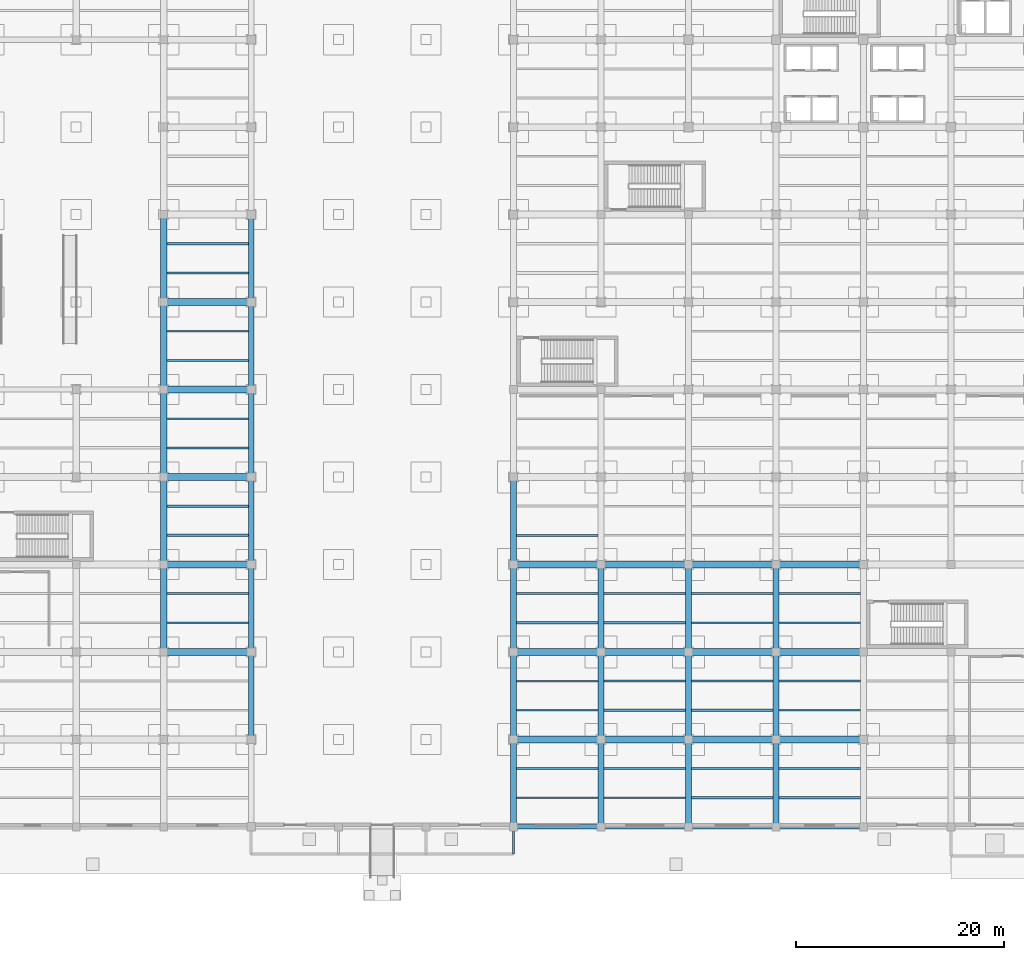
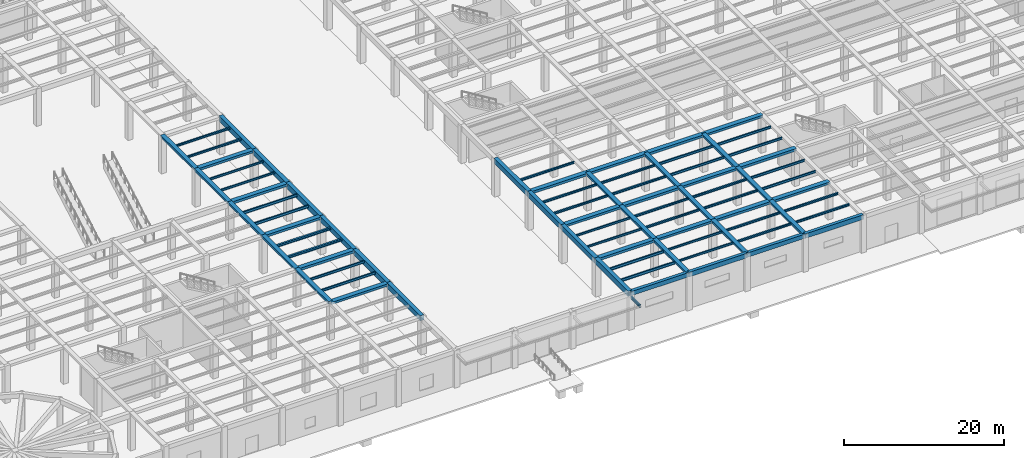
# One storey, part 6 of 43: 81 beams.
"""IFC4 building model written with IfcOpenShell, lengths in metres."""

from ifc_helpers import new_model, si_unit, direction, frame, origin, origin_2d, place, context, subcontext, project, spatial, rectangle, i_section, extrude, material, material_profile, profile_set, type_object, element, save


model = new_model("IFC4")

# Units and contexts
model_context = context("Model", 3, precision=1e-05, world=origin(), true_north=direction((0.0, 1.0)))
body_context = subcontext(model_context, "Body", "Model", "MODEL_VIEW")
ifc_project = project(units=[si_unit("LENGTHUNIT", "METRE"), si_unit("AREAUNIT", "SQUARE_METRE"), si_unit("VOLUMEUNIT", "CUBIC_METRE"), si_unit("PLANEANGLEUNIT", "RADIAN"), si_unit("MASSUNIT", "GRAM", prefix="KILO")], contexts=[model_context])

# Site, building, storey
site_placement = place(None, origin())
site = spatial("IfcSite", under=ifc_project, at=site_placement, CompositionType="ELEMENT")
building_placement = place(site_placement, origin())
building = spatial("IfcBuilding", under=site, at=building_placement, Name="Almacenes y Pasaje Nevantli", CompositionType="ELEMENT")
storey_placement = place(building_placement, origin())
storey = spatial("IfcBuildingStorey", under=building, at=storey_placement, Name="L01", CompositionType="ELEMENT", Elevation=0.0)

# Beams
ifc_material_1 = material(Name="Concrete C35/45", Category="concrete")
ifc_material_profile_1 = material_profile(ifc_material_1, rectangle(XDim=0.449951171875, YDim=0.64990234375, at=origin_2d()), Name="RC-BM-450x650")
ifc_profile_set_1 = profile_set([ifc_material_profile_1], Name="Concrete C35/45")
beam_type_1 = type_object("IfcBeamType", Name="BM-RC-450x650", PredefinedType="SPANDREL", material=ifc_profile_set_1)
for number, where, z_axis, x_axis, name in (
    (1, (92.39990234375, 0.0, 5.375), (1.0, 0.0, 0.0), (0.0, 1.0, 0.0), "L01 East-West Reinforced Concrete Beam #1217"),
    (2, (109.199951171875, 0.0, 5.375), (1.0, 0.0, 0.0), (0.0, 1.0, 0.0), "L01 East-West Reinforced Concrete Beam #1219"),
):
    element("IfcBeam", number, at=place(storey_placement, frame(where, z_axis=z_axis, x_axis=x_axis)), inside=storey, type_object=beam_type_1, Name=name, PredefinedType="SPANDREL", context=body_context, shape_type="SweptSolid", body=[
        extrude(rectangle(XDim=0.449951171875, YDim=0.64990234375, at=origin_2d()), origin(), (0.0, 0.0, 1.0), 8.400146484375),
    ])
ifc_material_2 = material(Name="Concrete C35/45", Category="concrete")
ifc_material_profile_2 = material_profile(ifc_material_2, rectangle(XDim=0.449951171875, YDim=0.699951171875, at=origin_2d()), Name="RC-BM-450x700")
ifc_profile_set_2 = profile_set([ifc_material_profile_2], Name="Concrete C35/45")
beam_type_2 = type_object("IfcBeamType", Name="BM-RC-450x700", PredefinedType="SPANDREL", material=ifc_profile_set_2)
for number, where, z_axis, x_axis, name in (
    (3, (100.800048828125, 0.0, 5.35009765625), (1.0, 0.0, 0.0), (0.0, 1.0, 0.0), "L01 East-West Reinforced Concrete Beam #1218"),
    (4, (117.60009765625, 0.0, 5.35009765625), (1.0, 0.0, 0.0), (0.0, 1.0, 0.0), "L01 East-West Reinforced Concrete Beam #1220"),
):
    element("IfcBeam", number, at=place(storey_placement, frame(where, z_axis=z_axis, x_axis=x_axis)), inside=storey, type_object=beam_type_2, Name=name, PredefinedType="SPANDREL", context=body_context, shape_type="SweptSolid", body=[
        extrude(rectangle(XDim=0.449951171875, YDim=0.699951171875, at=origin_2d()), origin(), (0.0, 0.0, 1.0), 8.39990234375),
    ])
ifc_material_3 = material(Name="Concrete C35/45", Category="concrete")
ifc_material_profile_3 = material_profile(ifc_material_3, rectangle(XDim=0.550048828125, YDim=0.800048828125, at=origin_2d()), Name="RC-BM-550x800")
ifc_profile_set_3 = profile_set([ifc_material_profile_3], Name="Concrete C35/45")
beam_type_3 = type_object("IfcBeamType", Name="BM-RC-550x800", PredefinedType="BEAM", material=ifc_profile_set_3)
beam_1_placement = place(storey_placement, frame((67.199951171875, 8.39990234375, 5.300048828125), z_axis=(0.0, 1.0, 0.0), x_axis=(-1.0, 0.0, 0.0)))
element("IfcBeam", 5, at=beam_1_placement, inside=storey, type_object=beam_type_3, Name="L01 North-South Reinforced Concrete Beam #1542", PredefinedType="BEAM", context=body_context, shape_type="SweptSolid", body=[
    extrude(rectangle(XDim=0.550048828125, YDim=0.800048828125, at=origin_2d()), origin(), (0.0, 0.0, 1.0), 8.400146484375),
])
beam_2_placement = place(storey_placement, frame((67.199951171875, 16.800048828125, 5.300048828125), z_axis=(0.0, 1.0, 0.0), x_axis=(-1.0, 0.0, 0.0)))
element("IfcBeam", 6, at=beam_2_placement, inside=storey, type_object=beam_type_3, Name="L01 North-South Reinforced Concrete Beam #1543", PredefinedType="BEAM", context=body_context, shape_type="SweptSolid", body=[
    extrude(rectangle(XDim=0.550048828125, YDim=0.800048828125, at=origin_2d()), origin(), (0.0, 0.0, 1.0), 8.39990234375),
])
beam_3_placement = place(storey_placement, frame((67.199951171875, 25.199951171875, 5.300048828125), z_axis=(0.0, 1.0, 0.0), x_axis=(-1.0, 0.0, 0.0)))
element("IfcBeam", 7, at=beam_3_placement, inside=storey, type_object=beam_type_3, Name="L01 North-South Reinforced Concrete Beam #1544", PredefinedType="BEAM", context=body_context, shape_type="SweptSolid", body=[
    extrude(rectangle(XDim=0.550048828125, YDim=0.800048828125, at=origin_2d()), origin(), (0.0, 0.0, 1.0), 8.400146484375),
])
for number, where, z_axis, x_axis, name in (
    (8, (67.199951171875, 33.60009765625, 5.300048828125), (0.0, 1.0, 0.0), (-1.0, 0.0, 0.0), "L01 North-South Reinforced Concrete Beam #1545"),
    (9, (67.199951171875, 42.0, 5.300048828125), (0.0, 1.0, 0.0), (-1.0, 0.0, 0.0), "L01 North-South Reinforced Concrete Beam #1546"),
):
    element("IfcBeam", number, at=place(storey_placement, frame(where, z_axis=z_axis, x_axis=x_axis)), inside=storey, type_object=beam_type_3, Name=name, PredefinedType="BEAM", context=body_context, shape_type="SweptSolid", body=[
        extrude(rectangle(XDim=0.550048828125, YDim=0.800048828125, at=origin_2d()), origin(), (0.0, 0.0, 1.0), 8.39990234375),
    ])
beam_4_placement = place(storey_placement, frame((67.199951171875, 50.39990234375, 5.300048828125), z_axis=(0.0, 1.0, 0.0), x_axis=(-1.0, 0.0, 0.0)))
element("IfcBeam", 10, at=beam_4_placement, inside=storey, type_object=beam_type_3, Name="L01 North-South Reinforced Concrete Beam #1547", PredefinedType="BEAM", context=body_context, shape_type="SweptSolid", body=[
    extrude(rectangle(XDim=0.550048828125, YDim=0.800048828125, at=origin_2d()), origin(), (0.0, 0.0, 1.0), 8.400146484375),
])
beam_5_placement = place(storey_placement, frame((92.39990234375, 0.0, 5.300048828125), z_axis=(0.0, 1.0, 0.0), x_axis=(-1.0, 0.0, 0.0)))
element("IfcBeam", 11, at=beam_5_placement, inside=storey, type_object=beam_type_3, Name="L01 North-South Reinforced Concrete Beam #1555", PredefinedType="BEAM", context=body_context, shape_type="SweptSolid", body=[
    extrude(rectangle(XDim=0.550048828125, YDim=0.800048828125, at=origin_2d()), origin(), (0.0, 0.0, 1.0), 8.39990234375),
])
beam_6_placement = place(storey_placement, frame((92.39990234375, 8.39990234375, 5.300048828125), z_axis=(0.0, 1.0, 0.0), x_axis=(-1.0, 0.0, 0.0)))
element("IfcBeam", 12, at=beam_6_placement, inside=storey, type_object=beam_type_3, Name="L01 North-South Reinforced Concrete Beam #1556", PredefinedType="BEAM", context=body_context, shape_type="SweptSolid", body=[
    extrude(rectangle(XDim=0.550048828125, YDim=0.800048828125, at=origin_2d()), origin(), (0.0, 0.0, 1.0), 8.400146484375),
])
beam_7_placement = place(storey_placement, frame((92.39990234375, 16.800048828125, 5.300048828125), z_axis=(0.0, 1.0, 0.0), x_axis=(-1.0, 0.0, 0.0)))
element("IfcBeam", 13, at=beam_7_placement, inside=storey, type_object=beam_type_3, Name="L01 North-South Reinforced Concrete Beam #1557", PredefinedType="BEAM", context=body_context, shape_type="SweptSolid", body=[
    extrude(rectangle(XDim=0.550048828125, YDim=0.800048828125, at=origin_2d()), origin(), (0.0, 0.0, 1.0), 8.39990234375),
])
beam_8_placement = place(storey_placement, frame((92.39990234375, 25.199951171875, 5.300048828125), z_axis=(0.0, 1.0, 0.0), x_axis=(-1.0, 0.0, 0.0)))
element("IfcBeam", 14, at=beam_8_placement, inside=storey, type_object=beam_type_3, Name="L01 North-South Reinforced Concrete Beam #1558", PredefinedType="BEAM", context=body_context, shape_type="SweptSolid", body=[
    extrude(rectangle(XDim=0.550048828125, YDim=0.800048828125, at=origin_2d()), origin(), (0.0, 0.0, 1.0), 8.400146484375),
])
ifc_material_4 = material(Name="Concrete C35/45", Category="concrete")
ifc_material_profile_4 = material_profile(ifc_material_4, rectangle(XDim=0.60009765625, YDim=0.320068359375, at=origin_2d()), Name="RC-BM-600x320")
ifc_profile_set_4 = profile_set([ifc_material_profile_4], Name="Concrete C35/45")
beam_type_4 = type_object("IfcBeamType", Name="BM-RC-600x320", PredefinedType="BEAM", material=ifc_profile_set_4)
for number, where, z_axis, x_axis, name in (
    (15, (58.800048828125, 16.800048828125, 5.5400390625), (0.0, 1.0, 0.0), (-1.0, 0.0, 0.0), "L01 North-South Reinforced Concrete Beam #1530"),
    (16, (58.800048828125, 33.60009765625, 5.5400390625), (0.0, 1.0, 0.0), (-1.0, 0.0, 0.0), "L01 North-South Reinforced Concrete Beam #1532"),
):
    element("IfcBeam", number, at=place(storey_placement, frame(where, z_axis=z_axis, x_axis=x_axis)), inside=storey, type_object=beam_type_4, Name=name, PredefinedType="BEAM", context=body_context, shape_type="SweptSolid", body=[
        extrude(rectangle(XDim=0.60009765625, YDim=0.320068359375, at=origin_2d()), origin(), (0.0, 0.0, 1.0), 8.39990234375),
    ])
for number, where, z_axis, x_axis, name in (
    (17, (58.800048828125, 50.39990234375, 5.5400390625), (0.0, 1.0, 0.0), (-1.0, 0.0, 0.0), "L01 North-South Reinforced Concrete Beam #1534"),
    (18, (100.800048828125, 8.39990234375, 5.5400390625), (0.0, 1.0, 0.0), (-1.0, 0.0, 0.0), "L01 North-South Reinforced Concrete Beam #1570"),
):
    element("IfcBeam", number, at=place(storey_placement, frame(where, z_axis=z_axis, x_axis=x_axis)), inside=storey, type_object=beam_type_4, Name=name, PredefinedType="BEAM", context=body_context, shape_type="SweptSolid", body=[
        extrude(rectangle(XDim=0.60009765625, YDim=0.320068359375, at=origin_2d()), origin(), (0.0, 0.0, 1.0), 8.400146484375),
    ])
for number, where, z_axis, x_axis, name in (
    (19, (109.199951171875, 0.0, 5.5400390625), (0.0, 1.0, 0.0), (-1.0, 0.0, 0.0), "L01 North-South Reinforced Concrete Beam #1582"),
    (20, (109.199951171875, 16.800048828125, 5.5400390625), (0.0, 1.0, 0.0), (-1.0, 0.0, 0.0), "L01 North-South Reinforced Concrete Beam #1584"),
):
    element("IfcBeam", number, at=place(storey_placement, frame(where, z_axis=z_axis, x_axis=x_axis)), inside=storey, type_object=beam_type_4, Name=name, PredefinedType="BEAM", context=body_context, shape_type="SweptSolid", body=[
        extrude(rectangle(XDim=0.60009765625, YDim=0.320068359375, at=origin_2d()), origin(), (0.0, 0.0, 1.0), 8.39990234375),
    ])
beam_9_placement = place(storey_placement, frame((117.60009765625, 8.39990234375, 5.5400390625), z_axis=(0.0, 1.0, 0.0), x_axis=(-1.0, 0.0, 0.0)))
element("IfcBeam", 21, at=beam_9_placement, inside=storey, type_object=beam_type_4, Name="L01 North-South Reinforced Concrete Beam #1596", PredefinedType="BEAM", context=body_context, shape_type="SweptSolid", body=[
    extrude(rectangle(XDim=0.60009765625, YDim=0.320068359375, at=origin_2d()), origin(), (0.0, 0.0, 1.0), 8.400146484375),
])
ifc_material_5 = material(Name="Concrete C35/45", Category="concrete")
ifc_material_profile_5 = material_profile(ifc_material_5, rectangle(XDim=0.60009765625, YDim=0.340087890625, at=origin_2d()), Name="RC-BM-600x340")
ifc_profile_set_5 = profile_set([ifc_material_profile_5], Name="Concrete C35/45")
beam_type_5 = type_object("IfcBeamType", Name="BM-RC-600x340", PredefinedType="BEAM", material=ifc_profile_set_5)
beam_10_placement = place(storey_placement, frame((58.800048828125, 25.199951171875, 5.530029296875), z_axis=(0.0, 1.0, 0.0), x_axis=(-1.0, 0.0, 0.0)))
element("IfcBeam", 22, at=beam_10_placement, inside=storey, type_object=beam_type_5, Name="L01 North-South Reinforced Concrete Beam #1531", PredefinedType="BEAM", context=body_context, shape_type="SweptSolid", body=[
    extrude(rectangle(XDim=0.60009765625, YDim=0.340087890625, at=origin_2d()), origin(), (0.0, 0.0, 1.0), 8.400146484375),
])
for number, where, z_axis, x_axis, name in (
    (23, (58.800048828125, 42.0, 5.530029296875), (0.0, 1.0, 0.0), (-1.0, 0.0, 0.0), "L01 North-South Reinforced Concrete Beam #1533"),
    (24, (100.800048828125, 0.0, 5.530029296875), (0.0, 1.0, 0.0), (-1.0, 0.0, 0.0), "L01 North-South Reinforced Concrete Beam #1569"),
    (25, (100.800048828125, 16.800048828125, 5.530029296875), (0.0, 1.0, 0.0), (-1.0, 0.0, 0.0), "L01 North-South Reinforced Concrete Beam #1571"),
):
    element("IfcBeam", number, at=place(storey_placement, frame(where, z_axis=z_axis, x_axis=x_axis)), inside=storey, type_object=beam_type_5, Name=name, PredefinedType="BEAM", context=body_context, shape_type="SweptSolid", body=[
        extrude(rectangle(XDim=0.60009765625, YDim=0.340087890625, at=origin_2d()), origin(), (0.0, 0.0, 1.0), 8.39990234375),
    ])
beam_11_placement = place(storey_placement, frame((109.199951171875, 8.39990234375, 5.530029296875), z_axis=(0.0, 1.0, 0.0), x_axis=(-1.0, 0.0, 0.0)))
element("IfcBeam", 26, at=beam_11_placement, inside=storey, type_object=beam_type_5, Name="L01 North-South Reinforced Concrete Beam #1583", PredefinedType="BEAM", context=body_context, shape_type="SweptSolid", body=[
    extrude(rectangle(XDim=0.60009765625, YDim=0.340087890625, at=origin_2d()), origin(), (0.0, 0.0, 1.0), 8.400146484375),
])
for number, where, z_axis, x_axis, name in (
    (27, (117.60009765625, 0.0, 5.530029296875), (0.0, 1.0, 0.0), (-1.0, 0.0, 0.0), "L01 North-South Reinforced Concrete Beam #1595"),
    (28, (117.60009765625, 16.800048828125, 5.530029296875), (0.0, 1.0, 0.0), (-1.0, 0.0, 0.0), "L01 North-South Reinforced Concrete Beam #1597"),
):
    element("IfcBeam", number, at=place(storey_placement, frame(where, z_axis=z_axis, x_axis=x_axis)), inside=storey, type_object=beam_type_5, Name=name, PredefinedType="BEAM", context=body_context, shape_type="SweptSolid", body=[
        extrude(rectangle(XDim=0.60009765625, YDim=0.340087890625, at=origin_2d()), origin(), (0.0, 0.0, 1.0), 8.39990234375),
    ])
ifc_material_6 = material(Name="Concrete C35/45", Category="concrete")
ifc_material_profile_6 = material_profile(ifc_material_6, rectangle(XDim=0.64990234375, YDim=0.35009765625, at=origin_2d()), Name="RC-BM-650x350")
ifc_profile_set_6 = profile_set([ifc_material_profile_6], Name="Concrete C35/45")
beam_type_6 = type_object("IfcBeamType", Name="BM-RC-650x350", PredefinedType="BEAM", material=ifc_profile_set_6)
for number, where, z_axis, x_axis, name in (
    (29, (100.800048828125, 8.39990234375, 5.52490234375), (1.0, 0.0, 0.0), (0.0, 1.0, 0.0), "L01 East-West Reinforced Concrete Beam #1232"),
    (30, (117.60009765625, 8.39990234375, 5.52490234375), (1.0, 0.0, 0.0), (0.0, 1.0, 0.0), "L01 East-West Reinforced Concrete Beam #1234"),
    (31, (58.800048828125, 16.800048828125, 5.52490234375), (1.0, 0.0, 0.0), (0.0, 1.0, 0.0), "L01 East-West Reinforced Concrete Beam #1244"),
):
    element("IfcBeam", number, at=place(storey_placement, frame(where, z_axis=z_axis, x_axis=x_axis)), inside=storey, type_object=beam_type_6, Name=name, PredefinedType="BEAM", context=body_context, shape_type="SweptSolid", body=[
        extrude(rectangle(XDim=0.64990234375, YDim=0.35009765625, at=origin_2d()), origin(), (0.0, 0.0, 1.0), 8.39990234375),
    ])
for number, where, z_axis, x_axis, name in (
    (32, (92.39990234375, 16.800048828125, 5.52490234375), (1.0, 0.0, 0.0), (0.0, 1.0, 0.0), "L01 East-West Reinforced Concrete Beam #1245"),
    (33, (109.199951171875, 16.800048828125, 5.52490234375), (1.0, 0.0, 0.0), (0.0, 1.0, 0.0), "L01 East-West Reinforced Concrete Beam #1247"),
):
    element("IfcBeam", number, at=place(storey_placement, frame(where, z_axis=z_axis, x_axis=x_axis)), inside=storey, type_object=beam_type_6, Name=name, PredefinedType="BEAM", context=body_context, shape_type="SweptSolid", body=[
        extrude(rectangle(XDim=0.64990234375, YDim=0.35009765625, at=origin_2d()), origin(), (0.0, 0.0, 1.0), 8.400146484375),
    ])
for number, where, z_axis, x_axis, name in (
    (34, (100.800048828125, 25.199951171875, 5.52490234375), (1.0, 0.0, 0.0), (0.0, 1.0, 0.0), "L01 East-West Reinforced Concrete Beam #1263"),
    (35, (117.60009765625, 25.199951171875, 5.52490234375), (1.0, 0.0, 0.0), (0.0, 1.0, 0.0), "L01 East-West Reinforced Concrete Beam #1265"),
    (36, (58.800048828125, 33.60009765625, 5.52490234375), (1.0, 0.0, 0.0), (0.0, 1.0, 0.0), "L01 East-West Reinforced Concrete Beam #1278"),
    (37, (58.800048828125, 50.39990234375, 5.52490234375), (1.0, 0.0, 0.0), (0.0, 1.0, 0.0), "L01 East-West Reinforced Concrete Beam #1309"),
):
    element("IfcBeam", number, at=place(storey_placement, frame(where, z_axis=z_axis, x_axis=x_axis)), inside=storey, type_object=beam_type_6, Name=name, PredefinedType="BEAM", context=body_context, shape_type="SweptSolid", body=[
        extrude(rectangle(XDim=0.64990234375, YDim=0.35009765625, at=origin_2d()), origin(), (0.0, 0.0, 1.0), 8.39990234375),
    ])
ifc_material_7 = material(Name="Concrete C35/45", Category="concrete")
ifc_material_profile_7 = material_profile(ifc_material_7, rectangle(XDim=0.64990234375, YDim=0.3798828125, at=origin_2d()), Name="RC-BM-650x380")
ifc_profile_set_7 = profile_set([ifc_material_profile_7], Name="Concrete C35/45")
beam_type_7 = type_object("IfcBeamType", Name="BM-RC-650x380", PredefinedType="BEAM", material=ifc_profile_set_7)
for number, where, z_axis, x_axis, name in (
    (38, (92.39990234375, 8.39990234375, 5.510009765625), (1.0, 0.0, 0.0), (0.0, 1.0, 0.0), "L01 East-West Reinforced Concrete Beam #1231"),
    (39, (109.199951171875, 8.39990234375, 5.510009765625), (1.0, 0.0, 0.0), (0.0, 1.0, 0.0), "L01 East-West Reinforced Concrete Beam #1233"),
):
    element("IfcBeam", number, at=place(storey_placement, frame(where, z_axis=z_axis, x_axis=x_axis)), inside=storey, type_object=beam_type_7, Name=name, PredefinedType="BEAM", context=body_context, shape_type="SweptSolid", body=[
        extrude(rectangle(XDim=0.64990234375, YDim=0.3798828125, at=origin_2d()), origin(), (0.0, 0.0, 1.0), 8.400146484375),
    ])
for number, where, z_axis, x_axis, name in (
    (40, (100.800048828125, 16.800048828125, 5.510009765625), (1.0, 0.0, 0.0), (0.0, 1.0, 0.0), "L01 East-West Reinforced Concrete Beam #1246"),
    (41, (117.60009765625, 16.800048828125, 5.510009765625), (1.0, 0.0, 0.0), (0.0, 1.0, 0.0), "L01 East-West Reinforced Concrete Beam #1248"),
    (42, (58.800048828125, 25.199951171875, 5.510009765625), (1.0, 0.0, 0.0), (0.0, 1.0, 0.0), "L01 East-West Reinforced Concrete Beam #1261"),
):
    element("IfcBeam", number, at=place(storey_placement, frame(where, z_axis=z_axis, x_axis=x_axis)), inside=storey, type_object=beam_type_7, Name=name, PredefinedType="BEAM", context=body_context, shape_type="SweptSolid", body=[
        extrude(rectangle(XDim=0.64990234375, YDim=0.3798828125, at=origin_2d()), origin(), (0.0, 0.0, 1.0), 8.39990234375),
    ])
for number, where, z_axis, x_axis, name in (
    (43, (92.39990234375, 25.199951171875, 5.510009765625), (1.0, 0.0, 0.0), (0.0, 1.0, 0.0), "L01 East-West Reinforced Concrete Beam #1262"),
    (44, (109.199951171875, 25.199951171875, 5.510009765625), (1.0, 0.0, 0.0), (0.0, 1.0, 0.0), "L01 East-West Reinforced Concrete Beam #1264"),
):
    element("IfcBeam", number, at=place(storey_placement, frame(where, z_axis=z_axis, x_axis=x_axis)), inside=storey, type_object=beam_type_7, Name=name, PredefinedType="BEAM", context=body_context, shape_type="SweptSolid", body=[
        extrude(rectangle(XDim=0.64990234375, YDim=0.3798828125, at=origin_2d()), origin(), (0.0, 0.0, 1.0), 8.400146484375),
    ])
beam_12_placement = place(storey_placement, frame((58.800048828125, 42.0, 5.510009765625), z_axis=(1.0, 0.0, 0.0), x_axis=(0.0, 1.0, 0.0)))
element("IfcBeam", 45, at=beam_12_placement, inside=storey, type_object=beam_type_7, Name="L01 East-West Reinforced Concrete Beam #1295", PredefinedType="BEAM", context=body_context, shape_type="SweptSolid", body=[
    extrude(rectangle(XDim=0.64990234375, YDim=0.3798828125, at=origin_2d()), origin(), (0.0, 0.0, 1.0), 8.39990234375),
])
ifc_material_8 = material(Name="Steel ASTM A992", Category="steel")
ifc_material_profile_8 = material_profile(ifc_material_8, i_section(OverallWidth=0.1650390625, OverallDepth=0.306884765625, WebThickness=0.006591796875, FlangeThickness=0.01025390625, at=origin_2d()), Name="IR 305x44.6")
ifc_profile_set_8 = profile_set([ifc_material_profile_8], Name="Steel ASTM A992")
beam_type_8 = type_object("IfcBeamType", Name="BM-STL-IR-305x44p6", PredefinedType="JOIST", material=ifc_profile_set_8)
for number, where, z_axis, x_axis, name in (
    (46, (59.10009765625, 44.800048828125, 5.53857421875), (1.0, 0.0, 0.0), (0.0, 1.0, 0.0), "L01 Secondary Steel Floor Joist #103"),
    (47, (59.10009765625, 47.60009765625, 5.53857421875), (1.0, 0.0, 0.0), (0.0, 1.0, 0.0), "L01 Secondary Steel Floor Joist #104"),
    (48, (92.675048828125, 11.199951171875, 5.53857421875), (1.0, 0.0, 0.0), (0.0, 1.0, 0.0), "L01 Secondary Steel Floor Joist #121"),
    (49, (92.675048828125, 14.0, 5.53857421875), (1.0, 0.0, 0.0), (0.0, 1.0, 0.0), "L01 Secondary Steel Floor Joist #122"),
):
    element("IfcBeam", number, at=place(storey_placement, frame(where, z_axis=z_axis, x_axis=x_axis)), inside=storey, type_object=beam_type_8, Name=name, PredefinedType="JOIST", context=body_context, shape_type="SweptSolid", body=[
        extrude(i_section(OverallWidth=0.1650390625, OverallDepth=0.306884765625, WebThickness=0.006591796875, FlangeThickness=0.01025390625, at=origin_2d()), origin(), (0.0, 0.0, 1.0), 7.824951171875),
    ])
for number, where, z_axis, x_axis, name in (
    (50, (101.10009765625, 2.800048828125, 5.53857421875), (1.0, 0.0, 0.0), (0.0, 1.0, 0.0), "L01 Secondary Steel Floor Joist #145"),
    (51, (101.10009765625, 5.60009765625, 5.53857421875), (1.0, 0.0, 0.0), (0.0, 1.0, 0.0), "L01 Secondary Steel Floor Joist #146"),
):
    element("IfcBeam", number, at=place(storey_placement, frame(where, z_axis=z_axis, x_axis=x_axis)), inside=storey, type_object=beam_type_8, Name=name, PredefinedType="JOIST", context=body_context, shape_type="SweptSolid", body=[
        extrude(i_section(OverallWidth=0.1650390625, OverallDepth=0.306884765625, WebThickness=0.006591796875, FlangeThickness=0.01025390625, at=origin_2d()), origin(), (0.0, 0.0, 1.0), 7.7998046875),
    ])
ifc_material_9 = material(Name="Steel ASTM A992", Category="steel")
ifc_material_profile_9 = material_profile(ifc_material_9, i_section(OverallWidth=0.202880859375, OverallDepth=0.304931640625, WebThickness=0.007568359375, FlangeThickness=0.01318359375, at=origin_2d()), Name="IR 305x59.5")
ifc_profile_set_9 = profile_set([ifc_material_profile_9], Name="Steel ASTM A992")
beam_type_9 = type_object("IfcBeamType", Name="BM-STL-IR-305x59p5", PredefinedType="JOIST", material=ifc_profile_set_9)
for number, where, z_axis, x_axis, name in (
    (52, (59.10009765625, 53.199951171875, 5.53955078125), (1.0, 0.0, 0.0), (0.0, 1.0, 0.0), "L01 Secondary Steel Floor Joist #105"),
    (53, (59.10009765625, 56.0, 5.53955078125), (1.0, 0.0, 0.0), (0.0, 1.0, 0.0), "L01 Secondary Steel Floor Joist #106"),
    (54, (92.675048828125, 19.60009765625, 5.53955078125), (1.0, 0.0, 0.0), (0.0, 1.0, 0.0), "L01 Secondary Steel Floor Joist #123"),
    (55, (92.675048828125, 22.39990234375, 5.53955078125), (1.0, 0.0, 0.0), (0.0, 1.0, 0.0), "L01 Secondary Steel Floor Joist #124"),
):
    element("IfcBeam", number, at=place(storey_placement, frame(where, z_axis=z_axis, x_axis=x_axis)), inside=storey, type_object=beam_type_9, Name=name, PredefinedType="JOIST", context=body_context, shape_type="SweptSolid", body=[
        extrude(i_section(OverallWidth=0.202880859375, OverallDepth=0.304931640625, WebThickness=0.007568359375, FlangeThickness=0.01318359375, at=origin_2d()), origin(), (0.0, 0.0, 1.0), 7.824951171875),
    ])
for number, where, z_axis, x_axis, name in (
    (56, (101.10009765625, 11.199951171875, 5.53955078125), (1.0, 0.0, 0.0), (0.0, 1.0, 0.0), "L01 Secondary Steel Floor Joist #147"),
    (57, (101.10009765625, 14.0, 5.53955078125), (1.0, 0.0, 0.0), (0.0, 1.0, 0.0), "L01 Secondary Steel Floor Joist #148"),
):
    element("IfcBeam", number, at=place(storey_placement, frame(where, z_axis=z_axis, x_axis=x_axis)), inside=storey, type_object=beam_type_9, Name=name, PredefinedType="JOIST", context=body_context, shape_type="SweptSolid", body=[
        extrude(i_section(OverallWidth=0.202880859375, OverallDepth=0.304931640625, WebThickness=0.007568359375, FlangeThickness=0.01318359375, at=origin_2d()), origin(), (0.0, 0.0, 1.0), 7.7998046875),
    ])
for number, where, z_axis, x_axis, name in (
    (58, (109.5, 2.800048828125, 5.53955078125), (1.0, 0.0, 0.0), (0.0, 1.0, 0.0), "L01 Secondary Steel Floor Joist #169"),
    (59, (109.5, 5.60009765625, 5.53955078125), (1.0, 0.0, 0.0), (0.0, 1.0, 0.0), "L01 Secondary Steel Floor Joist #170"),
):
    element("IfcBeam", number, at=place(storey_placement, frame(where, z_axis=z_axis, x_axis=x_axis)), inside=storey, type_object=beam_type_9, Name=name, PredefinedType="JOIST", context=body_context, shape_type="SweptSolid", body=[
        extrude(i_section(OverallWidth=0.202880859375, OverallDepth=0.304931640625, WebThickness=0.007568359375, FlangeThickness=0.01318359375, at=origin_2d()), origin(), (0.0, 0.0, 1.0), 7.800048828125),
    ])
ifc_material_10 = material(Name="Steel ASTM A992", Category="steel")
ifc_material_profile_10 = material_profile(ifc_material_10, i_section(OverallWidth=0.205078125, OverallDepth=0.31005859375, WebThickness=0.009521484375, FlangeThickness=0.016357421875, at=origin_2d()), Name="IR 305x74.4")
ifc_profile_set_10 = profile_set([ifc_material_profile_10], Name="Steel ASTM A992")
beam_type_10 = type_object("IfcBeamType", Name="BM-STL-IR-305x74p4", PredefinedType="JOIST", material=ifc_profile_set_10)
beam_13_placement = place(storey_placement, frame((92.675048828125, 28.0, 5.537109375), z_axis=(1.0, 0.0, 0.0), x_axis=(0.0, 1.0, 0.0)))
element("IfcBeam", 60, at=beam_13_placement, inside=storey, type_object=beam_type_10, Name="L01 Secondary Steel Floor Joist #125", PredefinedType="JOIST", context=body_context, shape_type="SweptSolid", body=[
    extrude(i_section(OverallWidth=0.205078125, OverallDepth=0.31005859375, WebThickness=0.009521484375, FlangeThickness=0.016357421875, at=origin_2d()), origin(), (0.0, 0.0, 1.0), 7.824951171875),
])
for number, where, z_axis, x_axis, name in (
    (61, (101.10009765625, 19.60009765625, 5.537109375), (1.0, 0.0, 0.0), (0.0, 1.0, 0.0), "L01 Secondary Steel Floor Joist #149"),
    (62, (101.10009765625, 22.39990234375, 5.537109375), (1.0, 0.0, 0.0), (0.0, 1.0, 0.0), "L01 Secondary Steel Floor Joist #150"),
):
    element("IfcBeam", number, at=place(storey_placement, frame(where, z_axis=z_axis, x_axis=x_axis)), inside=storey, type_object=beam_type_10, Name=name, PredefinedType="JOIST", context=body_context, shape_type="SweptSolid", body=[
        extrude(i_section(OverallWidth=0.205078125, OverallDepth=0.31005859375, WebThickness=0.009521484375, FlangeThickness=0.016357421875, at=origin_2d()), origin(), (0.0, 0.0, 1.0), 7.7998046875),
    ])
for number, where, z_axis, x_axis, name in (
    (63, (109.5, 11.199951171875, 5.537109375), (1.0, 0.0, 0.0), (0.0, 1.0, 0.0), "L01 Secondary Steel Floor Joist #171"),
    (64, (109.5, 14.0, 5.537109375), (1.0, 0.0, 0.0), (0.0, 1.0, 0.0), "L01 Secondary Steel Floor Joist #172"),
    (65, (117.89990234375, 2.800048828125, 5.537109375), (1.0, 0.0, 0.0), (0.0, 1.0, 0.0), "L01 Secondary Steel Floor Joist #195"),
    (66, (117.89990234375, 5.60009765625, 5.537109375), (1.0, 0.0, 0.0), (0.0, 1.0, 0.0), "L01 Secondary Steel Floor Joist #196"),
):
    element("IfcBeam", number, at=place(storey_placement, frame(where, z_axis=z_axis, x_axis=x_axis)), inside=storey, type_object=beam_type_10, Name=name, PredefinedType="JOIST", context=body_context, shape_type="SweptSolid", body=[
        extrude(i_section(OverallWidth=0.205078125, OverallDepth=0.31005859375, WebThickness=0.009521484375, FlangeThickness=0.016357421875, at=origin_2d()), origin(), (0.0, 0.0, 1.0), 7.800048828125),
    ])
ifc_material_11 = material(Name="Steel ASTM A992", Category="steel")
ifc_material_profile_11 = material_profile(ifc_material_11, i_section(OverallWidth=0.173095703125, OverallDepth=0.35302734375, WebThickness=0.0078125, FlangeThickness=0.01318359375, at=origin_2d()), Name="IR 356x56.6")
ifc_profile_set_11 = profile_set([ifc_material_profile_11], Name="Steel ASTM A992")
beam_type_11 = type_object("IfcBeamType", Name="BM-STL-IR-356x56p6", PredefinedType="JOIST", material=ifc_profile_set_11)
for number, where, z_axis, x_axis, name in (
    (67, (109.5, 19.60009765625, 5.515380859375), (1.0, 0.0, 0.0), (0.0, 1.0, 0.0), "L01 Secondary Steel Floor Joist #173"),
    (68, (109.5, 22.39990234375, 5.515380859375), (1.0, 0.0, 0.0), (0.0, 1.0, 0.0), "L01 Secondary Steel Floor Joist #174"),
    (69, (117.89990234375, 11.199951171875, 5.515380859375), (1.0, 0.0, 0.0), (0.0, 1.0, 0.0), "L01 Secondary Steel Floor Joist #197"),
    (70, (117.89990234375, 14.0, 5.515380859375), (1.0, 0.0, 0.0), (0.0, 1.0, 0.0), "L01 Secondary Steel Floor Joist #198"),
):
    element("IfcBeam", number, at=place(storey_placement, frame(where, z_axis=z_axis, x_axis=x_axis)), inside=storey, type_object=beam_type_11, Name=name, PredefinedType="JOIST", context=body_context, shape_type="SweptSolid", body=[
        extrude(i_section(OverallWidth=0.173095703125, OverallDepth=0.35302734375, WebThickness=0.0078125, FlangeThickness=0.01318359375, at=origin_2d()), origin(), (0.0, 0.0, 1.0), 7.800048828125),
    ])
ifc_material_12 = material(Name="Steel ASTM A992", Category="steel")
ifc_material_profile_12 = material_profile(ifc_material_12, i_section(OverallWidth=0.173095703125, OverallDepth=0.364013671875, WebThickness=0.009033203125, FlangeThickness=0.015625, at=origin_2d()), Name="IR 356x67.0")
ifc_profile_set_12 = profile_set([ifc_material_profile_12], Name="Steel ASTM A992")
beam_type_12 = type_object("IfcBeamType", Name="BM-STL-IR-356x67p0", PredefinedType="JOIST", material=ifc_profile_set_12)
for number, where, z_axis, x_axis, name in (
    (71, (59.10009765625, 19.60009765625, 5.510009765625), (1.0, 0.0, 0.0), (0.0, 1.0, 0.0), "L01 Secondary Steel Floor Joist #97"),
    (72, (59.10009765625, 22.39990234375, 5.510009765625), (1.0, 0.0, 0.0), (0.0, 1.0, 0.0), "L01 Secondary Steel Floor Joist #98"),
):
    element("IfcBeam", number, at=place(storey_placement, frame(where, z_axis=z_axis, x_axis=x_axis)), inside=storey, type_object=beam_type_12, Name=name, PredefinedType="JOIST", context=body_context, shape_type="SweptSolid", body=[
        extrude(i_section(OverallWidth=0.173095703125, OverallDepth=0.364013671875, WebThickness=0.009033203125, FlangeThickness=0.015625, at=origin_2d()), origin(), (0.0, 0.0, 1.0), 7.824951171875),
    ])
for number, where, z_axis, x_axis, name in (
    (73, (117.89990234375, 19.60009765625, 5.510009765625), (1.0, 0.0, 0.0), (0.0, 1.0, 0.0), "L01 Secondary Steel Floor Joist #199"),
    (74, (117.89990234375, 22.39990234375, 5.510009765625), (1.0, 0.0, 0.0), (0.0, 1.0, 0.0), "L01 Secondary Steel Floor Joist #200"),
):
    element("IfcBeam", number, at=place(storey_placement, frame(where, z_axis=z_axis, x_axis=x_axis)), inside=storey, type_object=beam_type_12, Name=name, PredefinedType="JOIST", context=body_context, shape_type="SweptSolid", body=[
        extrude(i_section(OverallWidth=0.173095703125, OverallDepth=0.364013671875, WebThickness=0.009033203125, FlangeThickness=0.015625, at=origin_2d()), origin(), (0.0, 0.0, 1.0), 7.800048828125),
    ])
ifc_material_13 = material(Name="Steel ASTM A992", Category="steel")
ifc_material_profile_13 = material_profile(ifc_material_13, i_section(OverallWidth=0.25390625, OverallDepth=0.35595703125, WebThickness=0.009521484375, FlangeThickness=0.016357421875, at=origin_2d()), Name="IR 356x79.0")
ifc_profile_set_13 = profile_set([ifc_material_profile_13], Name="Steel ASTM A992")
beam_type_13 = type_object("IfcBeamType", Name="BM-STL-IR-356x79p0", PredefinedType="JOIST", material=ifc_profile_set_13)
for number, where, z_axis, x_axis, name in (
    (75, (59.10009765625, 28.0, 5.513916015625), (1.0, 0.0, 0.0), (0.0, 1.0, 0.0), "L01 Secondary Steel Floor Joist #99"),
    (76, (59.10009765625, 30.800048828125, 5.513916015625), (1.0, 0.0, 0.0), (0.0, 1.0, 0.0), "L01 Secondary Steel Floor Joist #100"),
):
    element("IfcBeam", number, at=place(storey_placement, frame(where, z_axis=z_axis, x_axis=x_axis)), inside=storey, type_object=beam_type_13, Name=name, PredefinedType="JOIST", context=body_context, shape_type="SweptSolid", body=[
        extrude(i_section(OverallWidth=0.25390625, OverallDepth=0.35595703125, WebThickness=0.009521484375, FlangeThickness=0.016357421875, at=origin_2d()), origin(), (0.0, 0.0, 1.0), 7.824951171875),
    ])
ifc_material_14 = material(Name="Steel ASTM A992", Category="steel")
ifc_material_profile_14 = material_profile(ifc_material_14, i_section(OverallWidth=0.178955078125, OverallDepth=0.406005859375, WebThickness=0.0087890625, FlangeThickness=0.014404296875, at=origin_2d()), Name="IR 406x67.0")
ifc_profile_set_14 = profile_set([ifc_material_profile_14], Name="Steel ASTM A992")
beam_type_14 = type_object("IfcBeamType", Name="BM-STL-IR-406x67p0", PredefinedType="JOIST", material=ifc_profile_set_14)
for number, where, z_axis, x_axis, name in (
    (77, (59.10009765625, 36.39990234375, 5.489013671875), (1.0, 0.0, 0.0), (0.0, 1.0, 0.0), "L01 Secondary Steel Floor Joist #101"),
    (78, (59.10009765625, 39.199951171875, 5.489013671875), (1.0, 0.0, 0.0), (0.0, 1.0, 0.0), "L01 Secondary Steel Floor Joist #102"),
    (79, (92.675048828125, 2.800048828125, 5.489013671875), (1.0, 0.0, 0.0), (0.0, 1.0, 0.0), "L01 Secondary Steel Floor Joist #119"),
    (80, (92.675048828125, 5.60009765625, 5.489013671875), (1.0, 0.0, 0.0), (0.0, 1.0, 0.0), "L01 Secondary Steel Floor Joist #120"),
):
    element("IfcBeam", number, at=place(storey_placement, frame(where, z_axis=z_axis, x_axis=x_axis)), inside=storey, type_object=beam_type_14, Name=name, PredefinedType="JOIST", context=body_context, shape_type="SweptSolid", body=[
        extrude(i_section(OverallWidth=0.178955078125, OverallDepth=0.406005859375, WebThickness=0.0087890625, FlangeThickness=0.014404296875, at=origin_2d()), origin(), (0.0, 0.0, 1.0), 7.824951171875),
    ])
ifc_material_15 = material(Name="Steel ASTM A992", Category="steel")
ifc_material_profile_15 = material_profile(ifc_material_15, i_section(OverallWidth=0.180908203125, OverallDepth=0.406005859375, WebThickness=0.010986328125, FlangeThickness=0.018310546875, at=origin_2d()), Name="IR 406x85.0")
ifc_profile_set_15 = profile_set([ifc_material_profile_15], Name="Steel ASTM A992")
beam_type_15 = type_object("IfcBeamType", Name="BM-STL-IR-406x85p0", PredefinedType="BEAM", material=ifc_profile_set_15)
beam_14_placement = place(storey_placement, frame((92.39990234375, 0.0, 4.909912109375), z_axis=(0.0, -1.0, 0.0), x_axis=(1.0, 0.0, 0.0)))
element("IfcBeam", 81, at=beam_14_placement, inside=storey, type_object=beam_type_15, Name="Canopy Cantilever Steel Outrigger cnp-south-portal at X=92.4", PredefinedType="BEAM", context=body_context, shape_type="SweptSolid", body=[
    extrude(i_section(OverallWidth=0.180908203125, OverallDepth=0.406005859375, WebThickness=0.010986328125, FlangeThickness=0.018310546875, at=origin_2d()), origin(), (0.0, 0.0, 1.0), 2.60009765625),
])

save(model, "model.ifc")
